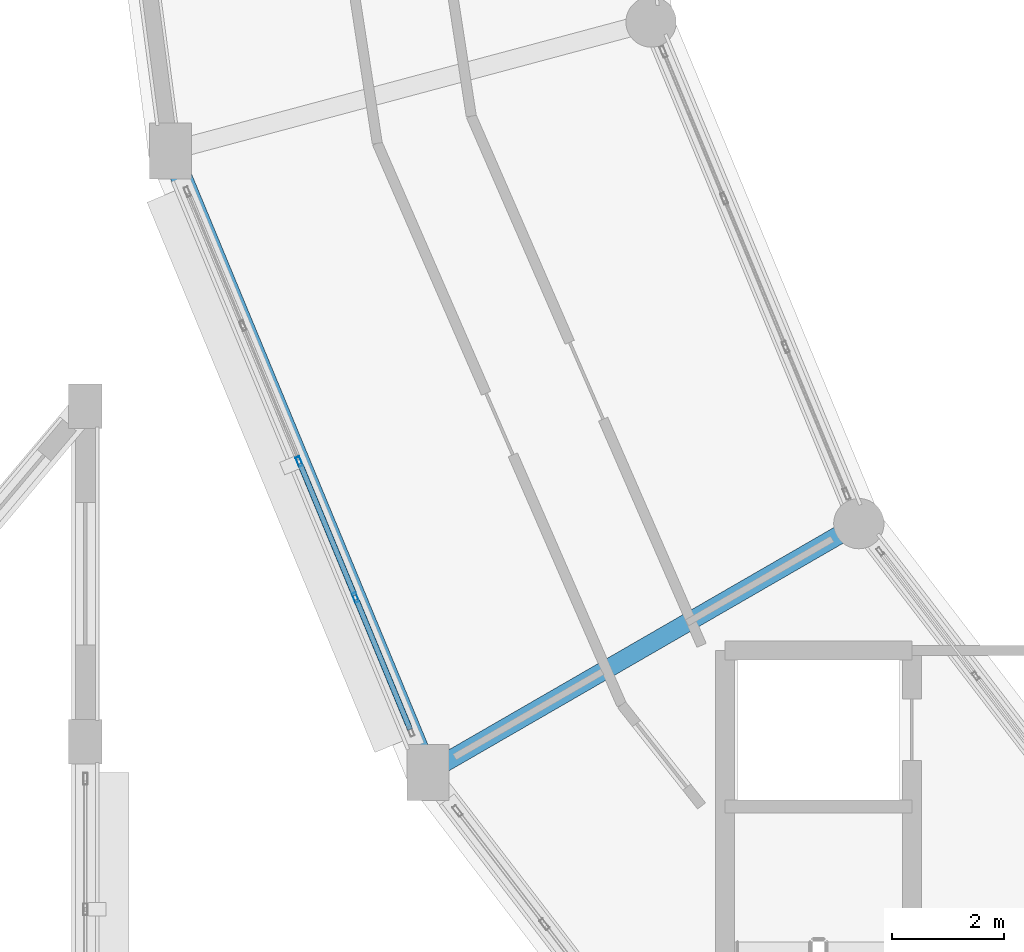
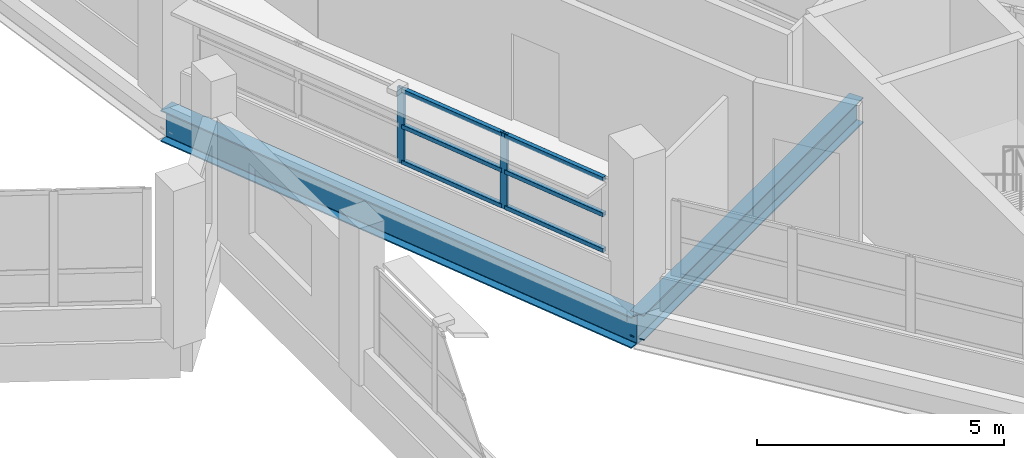
# One storey, part 22 of 121: 8 members, 2 beams, 1 element without a shape of its own.
"""IFC4 building model written with IfcOpenShell, lengths in metres."""

from ifc_helpers import new_model, si_unit, direction, frame, origin, origin_2d, place, context, subcontext, project, spatial, hollow_rectangle, i_section, extrude, material, layer, layer_set, material_profile, profile_set, type_object, element, aggregate, save


model = new_model("IFC4")

# Units and contexts
model_context = context("Model", 3, precision=1e-05, world=origin(), true_north=direction((0.0, 1.0)))
body_context = subcontext(model_context, "Body", "Model", "MODEL_VIEW")
ifc_project = project(units=[si_unit("LENGTHUNIT", "METRE"), si_unit("AREAUNIT", "SQUARE_METRE"), si_unit("VOLUMEUNIT", "CUBIC_METRE"), si_unit("PLANEANGLEUNIT", "RADIAN"), si_unit("MASSUNIT", "GRAM", prefix="KILO")], contexts=[model_context])

# Site, building, storey
site_placement = place(None, origin())
site = spatial("IfcSite", under=ifc_project, at=site_placement, CompositionType="ELEMENT")
building_placement = place(site_placement, origin())
building = spatial("IfcBuilding", under=site, at=building_placement, Name="Vespera Passage Community Centre", CompositionType="ELEMENT")
storey_placement = place(building_placement, frame((0.0, 0.0, 8.699951171875)))
storey = spatial("IfcBuildingStorey", under=building, at=storey_placement, Name="L02", CompositionType="ELEMENT", Elevation=8.699951171875)

# Beams
ifc_material_1 = material(Name="Steel ASTM A992 Grade 50", Category="steel")
ifc_material_profile_1 = material_profile(ifc_material_1, i_section(OverallWidth=0.32763671875, OverallDepth=0.62841796875, WebThickness=0.0166015625, FlangeThickness=0.027587890625, FilletRadius=0.0126953125, at=origin_2d()), Name="W24X146")
ifc_profile_set_1 = profile_set([ifc_material_profile_1], Name="Steel ASTM A992 Grade 50")
beam_type_1 = type_object("IfcBeamType", Name="BM-G-W24X146", PredefinedType="BEAM", material=ifc_profile_set_1)
beam_1_placement = place(storey_placement, frame((45.783935546875, 46.89990234375, -0.654052734375), z_axis=(-0.866031643847, -0.499989191739, 0.0), x_axis=(0.499989191739, -0.866031643847, 0.0)))
element("IfcBeam", 1, at=beam_1_placement, inside=storey, type_object=beam_type_1, Name="V4 L02 Radial Girder 14", PredefinedType="BEAM", context=body_context, shape_type="SweptSolid", body=[
    extrude(i_section(OverallWidth=0.32763671875, OverallDepth=0.62841796875, WebThickness=0.0166015625, FlangeThickness=0.027587890625, FilletRadius=0.0126953125, at=origin_2d()), origin(), (0.0, 0.0, 1.0), 8.900146484375),
])
ifc_material_2 = material(Name="Steel ASTM A992 Grade 50", Category="steel")
ifc_material_profile_2 = material_profile(ifc_material_2, i_section(OverallWidth=0.382080078125, OverallDepth=0.779296875, WebThickness=0.01806640625, FlangeThickness=0.030029296875, FilletRadius=0.0166015625, at=origin_2d()), Name="W30X191")
ifc_profile_set_2 = profile_set([ifc_material_profile_2], Name="Steel ASTM A992 Grade 50")
beam_type_2 = type_object("IfcBeamType", Name="BM-SP-W30X191E", PredefinedType="SPANDREL", material=ifc_profile_set_2)
beam_2_placement = place(storey_placement, frame((33.470703125, 53.568359375, -0.729736328125), z_axis=(0.382688629799, -0.923877379647, 0.0), x_axis=(0.923877379647, 0.382688629799, 0.0)))
element("IfcBeam", 2, at=beam_2_placement, inside=storey, type_object=beam_type_2, Name="V4 L02 Outer Spandrel 13", PredefinedType="SPANDREL", context=body_context, shape_type="SweptSolid", body=[
    extrude(i_section(OverallWidth=0.382080078125, OverallDepth=0.779296875, WebThickness=0.01806640625, FlangeThickness=0.030029296875, FilletRadius=0.0166015625, at=origin_2d()), origin(), (0.0, 0.0, 1.0), 12.034423828125),
])

# Curtain wall, members
ifc_material_3 = material(Name="Anodized aluminium 6063-T6", Category="aluminium")
ifc_layer = layer(ifc_material_3, 0.159912109375)
ifc_layer_set = layer_set([ifc_layer], Name="Anodized aluminium 6063-T6")
curtain_wall_type = type_object("IfcCurtainWallType", Name="CW-35E", PredefinedType="NOTDEFINED", material=ifc_layer_set)
curtain_wall_placement = place(storey_placement, origin())
curtain_wall = element("IfcCurtainWall", 3, at=curtain_wall_placement, inside=storey, type_object=curtain_wall_type, Name="V4 L02 Outer Ribbon Curtain Wall 13", PredefinedType="NOTDEFINED")
ifc_material_4 = material(Name="Anodized aluminium 6063-T6", Category="aluminium")
ifc_material_profile_3 = material_profile(ifc_material_4, hollow_rectangle(XDim=0.074951171875, YDim=0.179931640625, WallThickness=0.0048828125, InnerFilletRadius=0.00244140625, OuterFilletRadius=0.0048828125, at=origin_2d()), Name="ALU180X75X5")
ifc_profile_set_3 = profile_set([ifc_material_profile_3], Name="Anodized aluminium 6063-T6")
member_type_1 = type_object("IfcMemberType", Name="MB-CWM-180E", PredefinedType="MULLION", material=ifc_profile_set_3)
member_1_placement = place(storey_placement, frame((36.780029296875, 45.578857421875, 0.820068359375), z_axis=(0.0, 0.0, 1.0), x_axis=(-0.923881309405, -0.382679142535, 0.0)))
member_1 = element("IfcMember", 4, at=member_1_placement, type_object=member_type_1, Name="CW-35E mullion 2", PredefinedType="MULLION", context=body_context, shape_type="SweptSolid", body=[
    extrude(hollow_rectangle(XDim=0.074951171875, YDim=0.179931640625, WallThickness=0.0048828125, InnerFilletRadius=0.00244140625, OuterFilletRadius=0.0048828125, at=origin_2d()), origin(), (0.0, 0.0, 1.0), 1.865478515625),
])
member_2_placement = place(storey_placement, frame((35.7734375, 48.00927734375, 0.820068359375), z_axis=(0.0, 0.0, 1.0), x_axis=(-0.923881309405, -0.382679142535, 0.0)))
member_2 = element("IfcMember", 5, at=member_2_placement, type_object=member_type_1, Name="CW-35E mullion 3", PredefinedType="MULLION", context=body_context, shape_type="SweptSolid", body=[
    extrude(hollow_rectangle(XDim=0.074951171875, YDim=0.179931640625, WallThickness=0.0048828125, InnerFilletRadius=0.00244140625, OuterFilletRadius=0.0048828125, at=origin_2d()), origin(), (0.0, 0.0, 1.0), 1.865478515625),
])
ifc_material_5 = material(Name="Anodized aluminium 6063-T6", Category="aluminium")
ifc_material_profile_4 = material_profile(ifc_material_5, hollow_rectangle(XDim=0.10009765625, YDim=0.10009765625, WallThickness=0.00390625, InnerFilletRadius=0.001953125, OuterFilletRadius=0.00390625, at=origin_2d()), Name="ALU100X100X4")
ifc_profile_set_4 = profile_set([ifc_material_profile_4], Name="Anodized aluminium 6063-T6")
member_type_2 = type_object("IfcMemberType", Name="MB-CWT-100E", PredefinedType="USERDEFINED", material=ifc_profile_set_4)
member_3_placement = place(storey_placement, frame((37.758056640625, 43.2177734375, 0.8701171875), z_axis=(-0.3826800364, 0.923880939159, 0.0), x_axis=(-0.923880939159, -0.3826800364, 0.0)))
member_3 = element("IfcMember", 6, at=member_3_placement, type_object=member_type_2, Name="CW-35E transom 1.1", ObjectType="TRANSOM", PredefinedType="USERDEFINED", context=body_context, shape_type="SweptSolid", body=[
    extrude(hollow_rectangle(XDim=0.10009765625, YDim=0.10009765625, WallThickness=0.00390625, InnerFilletRadius=0.001953125, OuterFilletRadius=0.00390625, at=origin_2d()), origin(), (0.0, 0.0, 1.0), 2.51806640625),
])
member_4_placement = place(storey_placement, frame((37.758056640625, 43.2177734375, 1.7529296875), z_axis=(-0.3826800364, 0.923880939159, 0.0), x_axis=(-0.923880939159, -0.3826800364, 0.0)))
member_4 = element("IfcMember", 7, at=member_4_placement, type_object=member_type_2, Name="CW-35E transom 1.2", ObjectType="TRANSOM", PredefinedType="USERDEFINED", context=body_context, shape_type="SweptSolid", body=[
    extrude(hollow_rectangle(XDim=0.10009765625, YDim=0.10009765625, WallThickness=0.00390625, InnerFilletRadius=0.001953125, OuterFilletRadius=0.00390625, at=origin_2d()), origin(), (0.0, 0.0, 1.0), 2.51806640625),
])
member_5_placement = place(storey_placement, frame((37.758056640625, 43.2177734375, 2.6357421875), z_axis=(-0.3826800364, 0.923880939159, 0.0), x_axis=(-0.923880939159, -0.3826800364, 0.0)))
member_5 = element("IfcMember", 8, at=member_5_placement, type_object=member_type_2, Name="CW-35E transom 1.3", ObjectType="TRANSOM", PredefinedType="USERDEFINED", context=body_context, shape_type="SweptSolid", body=[
    extrude(hollow_rectangle(XDim=0.10009765625, YDim=0.10009765625, WallThickness=0.00390625, InnerFilletRadius=0.001953125, OuterFilletRadius=0.00390625, at=origin_2d()), origin(), (0.0, 0.0, 1.0), 2.51806640625),
])
member_6_placement = place(storey_placement, frame((36.765869140625, 45.613525390625, 0.8701171875), z_axis=(-0.382694900027, 0.923874782367, 0.0), x_axis=(-0.923874782367, -0.382694900027, 0.0)))
member_6 = element("IfcMember", 9, at=member_6_placement, type_object=member_type_2, Name="CW-35E transom 2.1", ObjectType="TRANSOM", PredefinedType="USERDEFINED", context=body_context, shape_type="SweptSolid", body=[
    extrude(hollow_rectangle(XDim=0.10009765625, YDim=0.10009765625, WallThickness=0.00390625, InnerFilletRadius=0.001953125, OuterFilletRadius=0.00390625, at=origin_2d()), origin(), (0.0, 0.0, 1.0), 2.5556640625),
])
member_7_placement = place(storey_placement, frame((36.765869140625, 45.613525390625, 1.7529296875), z_axis=(-0.382694900027, 0.923874782367, 0.0), x_axis=(-0.923874782367, -0.382694900027, 0.0)))
member_7 = element("IfcMember", 10, at=member_7_placement, type_object=member_type_2, Name="CW-35E transom 2.2", ObjectType="TRANSOM", PredefinedType="USERDEFINED", context=body_context, shape_type="SweptSolid", body=[
    extrude(hollow_rectangle(XDim=0.10009765625, YDim=0.10009765625, WallThickness=0.00390625, InnerFilletRadius=0.001953125, OuterFilletRadius=0.00390625, at=origin_2d()), origin(), (0.0, 0.0, 1.0), 2.5556640625),
])
member_8_placement = place(storey_placement, frame((36.765869140625, 45.613525390625, 2.6357421875), z_axis=(-0.382694900027, 0.923874782367, 0.0), x_axis=(-0.923874782367, -0.382694900027, 0.0)))
member_8 = element("IfcMember", 11, at=member_8_placement, type_object=member_type_2, Name="CW-35E transom 2.3", ObjectType="TRANSOM", PredefinedType="USERDEFINED", context=body_context, shape_type="SweptSolid", body=[
    extrude(hollow_rectangle(XDim=0.10009765625, YDim=0.10009765625, WallThickness=0.00390625, InnerFilletRadius=0.001953125, OuterFilletRadius=0.00390625, at=origin_2d()), origin(), (0.0, 0.0, 1.0), 2.5556640625),
])
aggregate(curtain_wall, [member_1, member_2, member_3, member_4, member_5, member_6, member_7, member_8])

save(model, "model.ifc")
